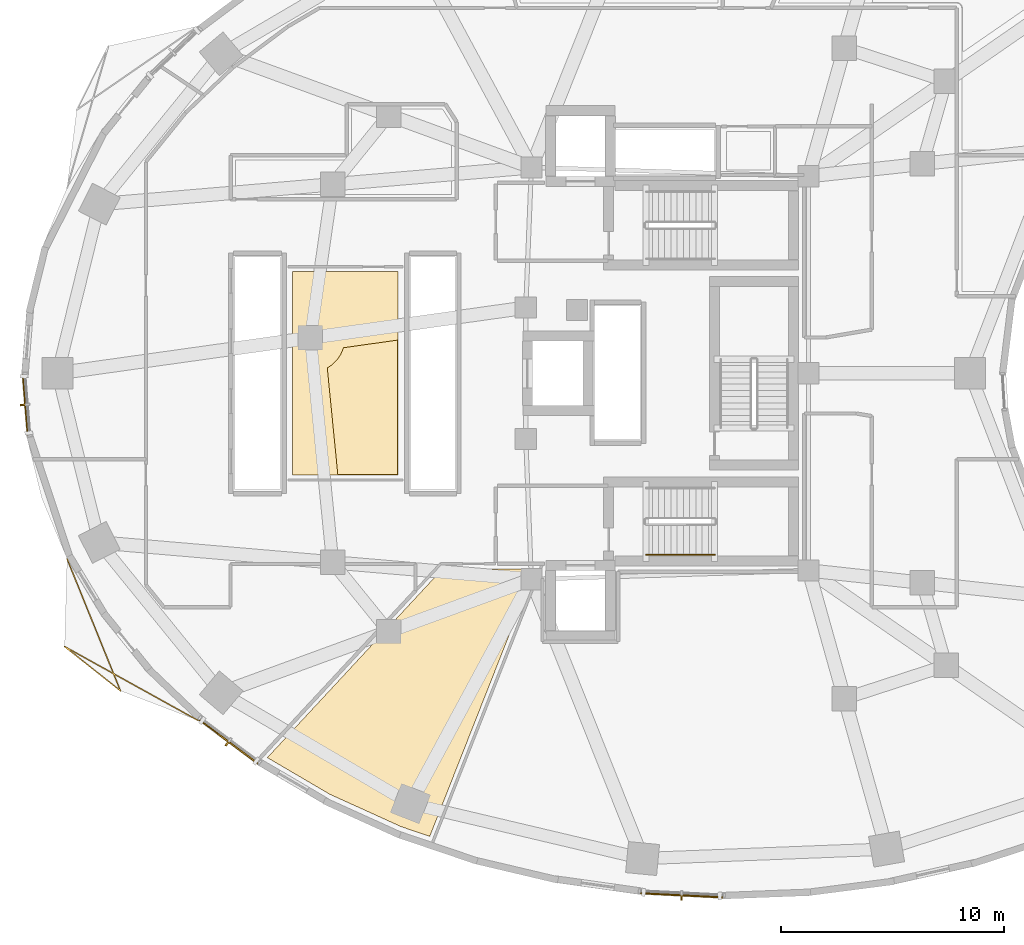
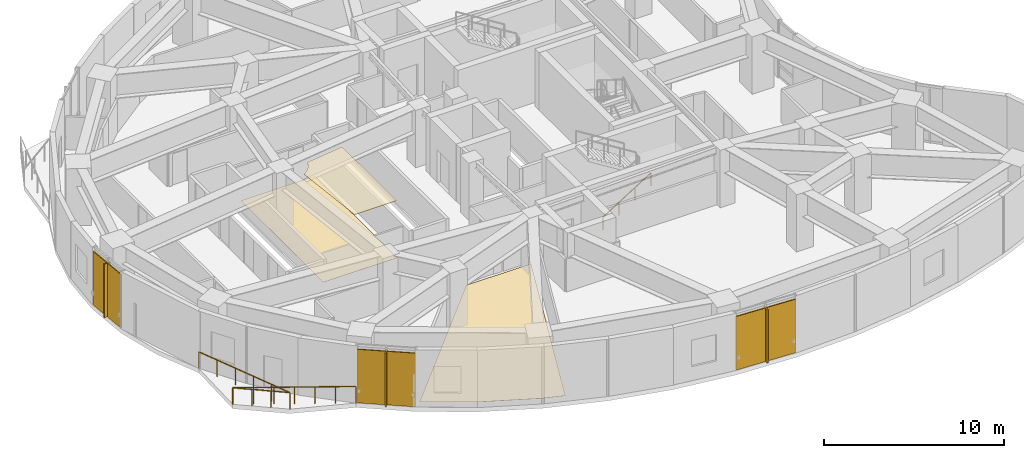
# One storey, part 11 of 13: 6 shading devices, 3 coverings, 2 railings.
"""IFC4 building model written with IfcOpenShell, lengths in metres."""

from ifc_helpers import new_model, si_unit, direction, frame, origin, origin_2d, place, context, subcontext, project, spatial, polyline, rectangle, outline, extrude, material, layer, layer_set, type_object, element, save


model = new_model("IFC4")

# Units and contexts
model_context = context("Model", 3, precision=1e-05, world=origin(), true_north=direction((0.0, 1.0)))
body_context = subcontext(model_context, "Body", "Model", "MODEL_VIEW")
ifc_project = project(units=[si_unit("LENGTHUNIT", "METRE"), si_unit("AREAUNIT", "SQUARE_METRE"), si_unit("VOLUMEUNIT", "CUBIC_METRE"), si_unit("PLANEANGLEUNIT", "RADIAN"), si_unit("MASSUNIT", "GRAM", prefix="KILO")], contexts=[model_context])

# Site, building, storey
site_placement = place(None, origin())
site = spatial("IfcSite", under=ifc_project, at=site_placement, CompositionType="ELEMENT")
building_placement = place(site_placement, origin())
building = spatial("IfcBuilding", under=site, at=building_placement, Name="Korentha Bioscience Tower", CompositionType="ELEMENT")
storey_placement = place(building_placement, frame((0.0, 0.0, 80.39990234375)))
storey = spatial("IfcBuildingStorey", under=building, at=storey_placement, Name="L18", CompositionType="ELEMENT", Elevation=80.39990234375)

# Railings
ifc_material_1 = material(Name="Stainless Steel 304", Category="steel")
railing_type_1 = type_object("IfcRailingType", Name="Brushed Stainless Stair Handrail 900", PredefinedType="HANDRAIL", material=ifc_material_1)
railing_1_placement = place(storey_placement, frame((30.25, 18.85009765625, 0.175048828125)))
element("IfcRailing", 1, at=railing_1_placement, inside=storey, type_object=railing_type_1, Name="L18 ST-2 stair handrail 1", PredefinedType="HANDRAIL", context=body_context, shape_type="SweptSolid", body=[
    extrude(rectangle(XDim=0.048095703125, YDim=0.048095703125, at=origin_2d()), frame((0.0, 0.0, 0.8759765625), z_axis=(0.847998304005, 0.0, 0.529998940003), x_axis=(0.0, 1.0, 0.0)), (0.0, 0.0, 1.0), 3.632080078125),
    extrude(rectangle(XDim=0.0419921875, YDim=0.0419921875, at=origin_2d()), origin(), (0.0, 0.0, 1.0), 0.851806640625),
    extrude(rectangle(XDim=0.0419921875, YDim=0.0419921875, at=origin_2d()), frame((1.026611328125, 0.0, 0.6416015625)), (0.0, 0.0, 1.0), 0.851806640625),
    extrude(rectangle(XDim=0.0419921875, YDim=0.0419921875, at=origin_2d()), frame((2.053466796875, 0.0, 1.283447265625)), (0.0, 0.0, 1.0), 0.851806640625),
    extrude(rectangle(XDim=0.0419921875, YDim=0.0419921875, at=origin_2d()), frame((3.080078125, 0.0, 1.925048828125)), (0.0, 0.0, 1.0), 0.851806640625),
])
ifc_material_2 = material(Name="Laminated Tempered Safety Glass", Category="glass")
railing_type_2 = type_object("IfcRailingType", Name="Laminated Glass Balcony Guardrail 1150", PredefinedType="BALUSTRADE", material=ifc_material_2)
railing_2_placement = place(storey_placement, frame((4.246337890625, 18.6708984375, 0.0)))
element("IfcRailing", 2, at=railing_2_placement, inside=storey, type_object=railing_type_2, Name="L18 Balcony Guardrail 03", PredefinedType="BALUSTRADE", context=body_context, shape_type="SweptSolid", body=[
    extrude(rectangle(XDim=0.048095703125, YDim=0.048095703125, at=origin_2d()), frame((0.0, 0.0, 1.1259765625), z_axis=(0.375353526565, -0.926881723897, 0.0), x_axis=(0.926881723897, 0.375353526565, 0.0)), (0.0, 0.0, 1.0), 6.399658203125),
    extrude(rectangle(XDim=0.048095703125, YDim=0.048095703125, at=origin_2d()), frame((2.402099609375, -5.931640625, 1.1259765625), z_axis=(-0.783832620515, 0.620972159615, 0.0), x_axis=(-0.620972159615, -0.783832620515, 0.0)), (0.0, 0.0, 1.0), 3.205078125),
    extrude(rectangle(XDim=0.048095703125, YDim=0.048095703125, at=origin_2d()), frame((-0.110107421875, -3.94140625, 1.1259765625), z_axis=(0.874749012384, -0.484576274011, 0.0), x_axis=(0.484576274011, 0.874749012384, 0.0)), (0.0, 0.0, 1.0), 6.843017578125),
    extrude(rectangle(XDim=0.0419921875, YDim=0.0419921875, at=origin_2d()), origin(), (0.0, 0.0, 1.0), 1.101806640625),
    extrude(rectangle(XDim=0.0419921875, YDim=0.0419921875, at=origin_2d()), frame((0.48046875, -1.186279296875, 0.0)), (0.0, 0.0, 1.0), 1.101806640625),
    extrude(rectangle(XDim=0.0419921875, YDim=0.0419921875, at=origin_2d()), frame((0.9609375, -2.37255859375, 0.0)), (0.0, 0.0, 1.0), 1.101806640625),
    extrude(rectangle(XDim=0.0419921875, YDim=0.0419921875, at=origin_2d()), frame((1.441162109375, -3.55908203125, 0.0)), (0.0, 0.0, 1.0), 1.101806640625),
    extrude(rectangle(XDim=0.0419921875, YDim=0.0419921875, at=origin_2d()), frame((1.921630859375, -4.745361328125, 0.0)), (0.0, 0.0, 1.0), 1.101806640625),
    extrude(rectangle(XDim=0.0419921875, YDim=0.0419921875, at=origin_2d()), frame((2.402099609375, -5.931640625, 0.0)), (0.0, 0.0, 1.0), 1.101806640625),
    extrude(rectangle(XDim=0.0419921875, YDim=0.0419921875, at=origin_2d()), frame((1.564697265625, -5.268310546875, 0.0)), (0.0, 0.0, 1.0), 1.101806640625),
    extrude(rectangle(XDim=0.0419921875, YDim=0.0419921875, at=origin_2d()), frame((0.727294921875, -4.604736328125, 0.0)), (0.0, 0.0, 1.0), 1.101806640625),
    extrude(rectangle(XDim=0.0419921875, YDim=0.0419921875, at=origin_2d()), frame((-0.110107421875, -3.94140625, 0.0)), (0.0, 0.0, 1.0), 1.101806640625),
    extrude(rectangle(XDim=0.0419921875, YDim=0.0419921875, at=origin_2d()), frame((0.887451171875, -4.494140625, 0.0)), (0.0, 0.0, 1.0), 1.101806640625),
    extrude(rectangle(XDim=0.0419921875, YDim=0.0419921875, at=origin_2d()), frame((1.88525390625, -5.046630859375, 0.0)), (0.0, 0.0, 1.0), 1.101806640625),
    extrude(rectangle(XDim=0.0419921875, YDim=0.0419921875, at=origin_2d()), frame((2.8828125, -5.599365234375, 0.0)), (0.0, 0.0, 1.0), 1.101806640625),
    extrude(rectangle(XDim=0.0419921875, YDim=0.0419921875, at=origin_2d()), frame((3.88037109375, -6.152099609375, 0.0)), (0.0, 0.0, 1.0), 1.101806640625),
    extrude(rectangle(XDim=0.0419921875, YDim=0.0419921875, at=origin_2d()), frame((4.878173828125, -6.70458984375, 0.0)), (0.0, 0.0, 1.0), 1.101806640625),
    extrude(rectangle(XDim=0.0419921875, YDim=0.0419921875, at=origin_2d()), frame((5.875732421875, -7.25732421875, 0.0)), (0.0, 0.0, 1.0), 1.101806640625),
])

# Covering
ifc_material_3 = material(Name="Antimicrobial Mineral Fibre Board", Category="gypsum")
ifc_layer_1 = layer(ifc_material_3, 0.034912109375, Name="Antimicrobial Mineral Fibre Board")
ifc_layer_set_1 = layer_set([ifc_layer_1], Name="Antimicrobial Mineral Fibre Board (CL-MF35)")
covering_type_1 = type_object("IfcCoveringType", Name="Mineral-Fibre Cleanroom Suspended Ceiling 35", PredefinedType="CEILING", material=ifc_layer_set_1)
covering_1_placement = place(storey_placement, frame((0.0, 0.0, 3.84521484375)))
element("IfcCovering", 3, at=covering_1_placement, inside=storey, type_object=covering_type_1, Name="L18 Bioinformatics Dry Workstation Studio 12 Acoustic Ceiling", PredefinedType="CEILING", context=body_context, shape_type="SweptSolid", body=[
    extrude(outline(polyline([(19.090087890625, 28.49072265625), (19.08984375, 22.4599609375), (16.4072265625, 22.4599609375), (15.93505859375, 27.241943359375), (16.162109375, 27.395263671875), (16.376953125, 27.610107421875), (16.545654296875, 27.86279296875), (16.663818359375, 28.150390625), (19.090087890625, 28.49072265625)])), origin(), (0.0, 0.0, 1.0), 0.034912109375),
])

# Shading devices
ifc_material_4 = material(Name="Perforated Stone-Ceramic Composite", Category="masonry")
ifc_layer_2 = layer(ifc_material_4, 0.06494140625, Name="Perforated Stone-Ceramic Composite")
ifc_layer_set_2 = layer_set([ifc_layer_2], Name="Perforated Stone-Ceramic Composite (CS-01)")
shading_device_type_1 = type_object("IfcShadingDeviceType", Name="Perforated Stone-Ceramic Solar Screen Panel 65", PredefinedType="USERDEFINED", material=ifc_layer_set_2)
shading_device_1_placement = place(storey_placement, frame((2.37451171875, 25.58935546875, 0.000244140625), z_axis=(0.0, 0.0, 1.0), x_axis=(0.080820466375, -0.996728675325, 0.0)))
element("IfcShadingDevice", 4, at=shading_device_1_placement, inside=storey, type_object=shading_device_type_1, Name="CW-L18-19 Perforated Stone-Ceramic Solar Screen", ObjectType="SCREEN", PredefinedType="USERDEFINED", context=body_context, shape_type="SweptSolid", body=[
    extrude(rectangle(XDim=2.739990234375, YDim=0.06494140625, at=origin_2d()), origin(), (0.0, 0.0, 1.0), 3.6298828125),
])
shading_device_2_placement = place(storey_placement, frame((11.503662109375, 10.455078125, 0.000244140625), z_axis=(0.0, 0.0, 1.0), x_axis=(0.800797909614, -0.598934644145, 0.0)))
element("IfcShadingDevice", 5, at=shading_device_2_placement, inside=storey, type_object=shading_device_type_1, Name="CW-L18-25 Perforated Stone-Ceramic Solar Screen", ObjectType="SCREEN", PredefinedType="USERDEFINED", context=body_context, shape_type="SweptSolid", body=[
    extrude(rectangle(XDim=3.260986328125, YDim=0.06494140625, at=origin_2d()), origin(), (0.0, 0.0, 1.0), 3.6298828125),
])
shading_device_3_placement = place(storey_placement, frame((31.85009765625, 3.556640625, 0.000244140625), z_axis=(0.0, 0.0, 1.0), x_axis=(0.998730551641, -0.050371472279, 0.0)))
element("IfcShadingDevice", 6, at=shading_device_3_placement, inside=storey, type_object=shading_device_type_1, Name="CW-L18-31 Perforated Stone-Ceramic Solar Screen", ObjectType="SCREEN", PredefinedType="USERDEFINED", context=body_context, shape_type="SweptSolid", body=[
    extrude(rectangle(XDim=3.717041015625, YDim=0.06494140625, at=origin_2d()), origin(), (0.0, 0.0, 1.0), 3.6298828125),
])

# Coverings
ifc_material_5 = material(Name="Chemical-Resistant Epoxy Resin", Category="polymer")
ifc_layer_3 = layer(ifc_material_5, 0.011962890625, Name="Chemical-Resistant Epoxy Resin")
ifc_layer_set_3 = layer_set([ifc_layer_3], Name="Chemical-Resistant Epoxy Resin (FL-EPX)")
covering_type_2 = type_object("IfcCoveringType", Name="Seamless Epoxy Laboratory Flooring 12", PredefinedType="FLOORING", material=ifc_layer_set_3)
covering_2_placement = place(storey_placement, origin())
element("IfcCovering", 7, at=covering_2_placement, inside=storey, type_object=covering_type_2, Name="L18 Research Colloquium Seminar Room 02 Floor Finish", PredefinedType="FLOORING", context=body_context, shape_type="SweptSolid", body=[
    extrude(outline(polyline([(13.2421875, 9.740478515625), (21.115478515625, 18.219970703125), (25.273681640625, 18.219970703125), (20.53662109375, 6.203857421875), (19.258544921875, 6.63720703125), (16.0458984375, 8.09521484375), (13.2421875, 9.740478515625)])), origin(), (0.0, 0.0, 1.0), 0.01220703125),
])
covering_3_placement = place(storey_placement, origin())
element("IfcCovering", 8, at=covering_3_placement, inside=storey, type_object=covering_type_2, Name="L18 Bioinformatics Dry Workstation Studio 12 Floor Finish", PredefinedType="FLOORING", context=body_context, shape_type="SweptSolid", body=[
    extrude(outline(polyline([(14.3798828125, 22.429931640625), (14.3798828125, 31.570068359375), (19.1201171875, 31.570068359375), (19.119873046875, 22.429931640625), (14.3798828125, 22.429931640625)])), origin(), (0.0, 0.0, 1.0), 0.01220703125),
])

# Shading devices
ifc_material_6 = material(Name="Honed Travertine Limestone", Category="masonry")
ifc_layer_4 = layer(ifc_material_6, 0.080078125, Name="Honed Travertine Limestone")
ifc_layer_set_4 = layer_set([ifc_layer_4], Name="Honed Travertine Limestone (CS-02)")
shading_device_type_2 = type_object("IfcShadingDeviceType", Name="Vertical Honed Limestone Sunshade Fin 80x420", PredefinedType="USERDEFINED", material=ifc_layer_set_4)
for number, where, z_axis, x_axis, name in (
    (9, (2.354736328125, 25.587890625, 0.000244140625), (0.0, 0.0, 1.0), (0.080820466375, -0.996728675325, 0.0), "CW-L18-19 Limestone Sunshade Fin"),
    (10, (11.49169921875, 10.439208984375, 0.000244140625), (0.0, 0.0, 1.0), (0.800797909614, -0.598934644145, 0.0), "CW-L18-25 Limestone Sunshade Fin"),
    (11, (31.84912109375, 3.536865234375, 0.000244140625), (0.0, 0.0, 1.0), (0.998730551641, -0.050371472279, 0.0), "CW-L18-31 Limestone Sunshade Fin"),
):
    element("IfcShadingDevice", number, at=place(storey_placement, frame(where, z_axis=z_axis, x_axis=x_axis)), inside=storey, type_object=shading_device_type_2, Name=name, ObjectType="SCREEN", PredefinedType="USERDEFINED", context=body_context, shape_type="SweptSolid", body=[
        extrude(rectangle(XDim=0.080078125, YDim=0.419921875, at=origin_2d()), origin(), (0.0, 0.0, 1.0), 3.6298828125),
    ])

save(model, "model.ifc")
